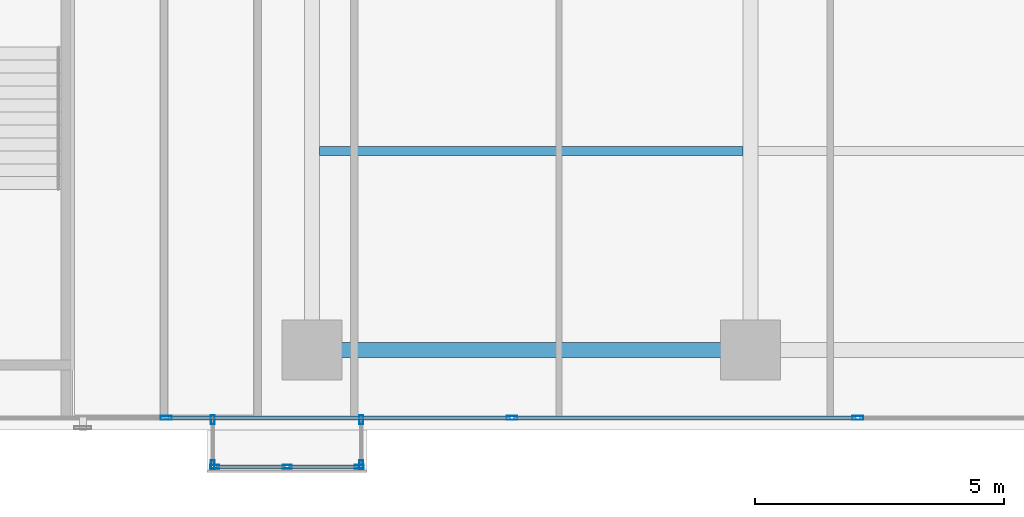
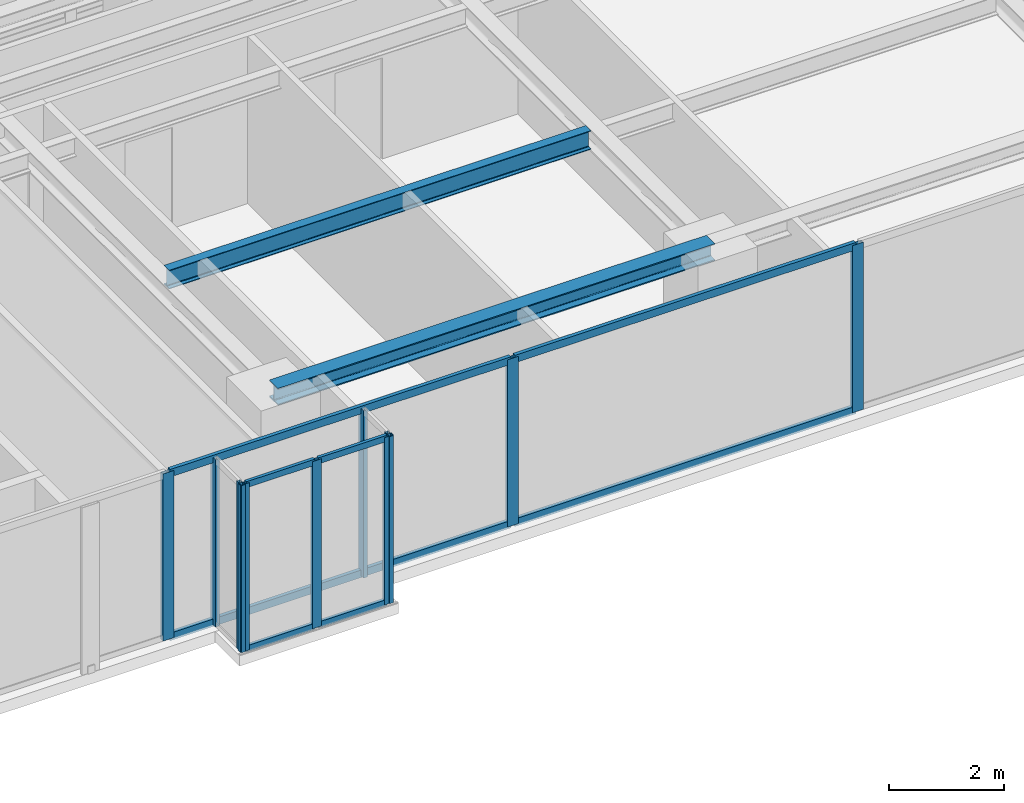
# One storey, part 11 of 28: 18 members, 2 beams, 4 elements without a shape of their own.
"""IFC4 building model written with IfcOpenShell, lengths in metres."""

from ifc_helpers import new_model, si_unit, direction, frame, origin, origin_with_axes, origin_2d, place, context, subcontext, project, spatial, hollow_rectangle, i_section, extrude, source, transform, mapped, material, layer, layer_set, material_profile, profile_set, type_object, element, aggregate, save


model = new_model("IFC4")

# Units and contexts
model_context = context("Model", 3, precision=1e-05, world=origin(), true_north=direction((0.0, 1.0)))
body_context = subcontext(model_context, "Body", "Model", "MODEL_VIEW")
ifc_project = project(units=[si_unit("LENGTHUNIT", "METRE"), si_unit("AREAUNIT", "SQUARE_METRE"), si_unit("VOLUMEUNIT", "CUBIC_METRE"), si_unit("PLANEANGLEUNIT", "RADIAN"), si_unit("MASSUNIT", "GRAM", prefix="KILO")], contexts=[model_context])

# Site, building, storey
site_placement = place(None, origin())
site = spatial("IfcSite", under=ifc_project, at=site_placement, CompositionType="ELEMENT")
building_placement = place(site_placement, origin())
building = spatial("IfcBuilding", under=site, at=building_placement, Name="Kolvaren Waterfront Exchange", CompositionType="ELEMENT")
storey_placement = place(building_placement, frame((0.0, 0.0, 146.199951171875)))
storey = spatial("IfcBuildingStorey", under=building, at=storey_placement, Name="L37", CompositionType="ELEMENT", Elevation=146.199951171875)

# Beams
ifc_material_1 = material(Name="Steel S355", Category="steel")
ifc_material_profile_1 = material_profile(ifc_material_1, i_section(OverallWidth=0.300048828125, OverallDepth=0.360107421875, WebThickness=0.012451171875, FlangeThickness=0.0224609375, FilletRadius=0.027099609375, at=origin_2d()), Name="HEB360")
ifc_profile_set_1 = profile_set([ifc_material_profile_1], Name="Steel S355")
beam_type_1 = type_object("IfcBeamType", Name="STR-BM-HEB360", PredefinedType="SPANDREL", material=ifc_profile_set_1)
beam_1_placement = place(storey_placement, frame((36.800048828125, 5.199951171875, 3.380126953125), z_axis=(1.0, 0.0, 0.0), x_axis=(0.0, 1.0, 0.0)))
element("IfcBeam", 1, at=beam_1_placement, inside=storey, type_object=beam_type_1, Name="L37 east-arm spandrel S3", PredefinedType="SPANDREL", context=body_context, shape_type="SweptSolid", body=[
    extrude(i_section(OverallWidth=0.300048828125, OverallDepth=0.360107421875, WebThickness=0.012451171875, FlangeThickness=0.0224609375, FilletRadius=0.027099609375, at=origin_2d()), origin(), (0.0, 0.0, 1.0), 8.800048828125),
])
ifc_material_profile_2 = material_profile(ifc_material_1, i_section(OverallWidth=0.179931640625, OverallDepth=0.39990234375, WebThickness=0.008544921875, FlangeThickness=0.013427734375, FilletRadius=0.02099609375, at=origin_2d()), Name="IPE400")
ifc_profile_set_2 = profile_set([ifc_material_profile_2], Name="Steel S355")
beam_type_2 = type_object("IfcBeamType", Name="STR-BM-IPE400", PredefinedType="JOIST", material=ifc_profile_set_2)
beam_2_placement = place(storey_placement, frame((36.951904296875, 9.199951171875, 3.360107421875), z_axis=(1.0, 0.0, 0.0), x_axis=(0.0, 1.0, 0.0)))
element("IfcBeam", 2, at=beam_2_placement, inside=storey, type_object=beam_type_2, Name="L37 east-arm composite joist 3B", PredefinedType="JOIST", context=body_context, shape_type="SweptSolid", body=[
    extrude(i_section(OverallWidth=0.179931640625, OverallDepth=0.39990234375, WebThickness=0.008544921875, FlangeThickness=0.013427734375, FilletRadius=0.02099609375, at=origin_2d()), origin(), (0.0, 0.0, 1.0), 8.49609375),
])

# Curtain wall, members
ifc_material_2 = material(Name="Anodised bronze aluminium 6063-T6", Category="aluminium")
ifc_layer_1 = layer(ifc_material_2, 0.219970703125, Name="Anodised bronze aluminium 6063-T6")
ifc_layer_set_1 = layer_set([ifc_layer_1], Name="Anodised bronze aluminium 6063-T6")
curtain_wall_type_1 = type_object("IfcCurtainWallType", Name="ARC-CW-SYS3", PredefinedType="USERDEFINED", material=ifc_layer_set_1)
curtain_wall_1_placement = place(storey_placement, origin())
curtain_wall_1 = element("IfcCurtainWall", 3, at=curtain_wall_1_placement, inside=storey, type_object=curtain_wall_type_1, Name="L37 stick curtain wall CW3 (CW-L37-BOX)", ObjectType="STICK CURTAIN WALL", PredefinedType="USERDEFINED")
ifc_material_profile_3 = material_profile(ifc_material_2, hollow_rectangle(XDim=0.06494140625, YDim=0.1298828125, WallThickness=0.00390625, at=origin_2d()), Name="ALU-TRN-130x65x4")
ifc_profile_set_3 = profile_set([ifc_material_profile_3], Name="Anodised bronze aluminium 6063-T6")
member_type_1 = type_object("IfcMemberType", Name="ARC-CWT-130", PredefinedType="USERDEFINED", material=ifc_profile_set_3)
shared_shape_1 = source(origin_with_axes(), body_context, "Body", "SweptSolid", [
    extrude(hollow_rectangle(XDim=0.06494140625, YDim=0.1298828125, WallThickness=0.00390625, at=origin_2d()), origin(), (0.0, 0.0, 1.0), 1.377685546875),
])
member_1_placement = place(storey_placement, frame((36.33740234375, 2.860107421875, 0.032470703125), z_axis=(1.0, 0.0, 0.0), x_axis=(0.0, 1.0, 0.0)))
member_1 = element("IfcMember", 4, at=member_1_placement, type_object=member_type_1, Name="CW3 transom 2.1", ObjectType="TRANSOM", PredefinedType="USERDEFINED", context=body_context, shape_type="MappedRepresentation", body=[
    mapped(shared_shape_1, transform((0.0, 0.0, 0.0), x_axis=(1.0, 0.0, 0.0), y_axis=(0.0, 1.0, 0.0), z_axis=(0.0, 0.0, 1.0), scale=1.0)),
])
member_2_placement = place(storey_placement, frame((36.33740234375, 2.860107421875, 3.527587890625), z_axis=(1.0, 0.0, 0.0), x_axis=(0.0, 1.0, 0.0)))
member_2 = element("IfcMember", 5, at=member_2_placement, type_object=member_type_1, Name="CW3 transom 2.2", ObjectType="TRANSOM", PredefinedType="USERDEFINED", context=body_context, shape_type="MappedRepresentation", body=[
    mapped(shared_shape_1, transform((0.0, 0.0, 0.0), x_axis=(1.0, 0.0, 0.0), y_axis=(0.0, 1.0, 0.0), z_axis=(0.0, 0.0, 1.0), scale=1.0)),
])
shared_shape_2 = source(origin_with_axes(), body_context, "Body", "SweptSolid", [
    extrude(hollow_rectangle(XDim=0.06494140625, YDim=0.1298828125, WallThickness=0.00390625, at=origin_2d()), origin(), (0.0, 0.0, 1.0), 1.37744140625),
])
member_3_placement = place(storey_placement, frame((34.885009765625, 2.860107421875, 0.032470703125), z_axis=(1.0, 0.0, 0.0), x_axis=(0.0, 1.0, 0.0)))
member_3 = element("IfcMember", 6, at=member_3_placement, type_object=member_type_1, Name="CW3 transom 1.1", ObjectType="TRANSOM", PredefinedType="USERDEFINED", context=body_context, shape_type="MappedRepresentation", body=[
    mapped(shared_shape_2, transform((0.0, 0.0, 0.0), x_axis=(1.0, 0.0, 0.0), y_axis=(0.0, 1.0, 0.0), z_axis=(0.0, 0.0, 1.0), scale=1.0)),
])
member_4_placement = place(storey_placement, frame((34.885009765625, 2.860107421875, 3.527587890625), z_axis=(1.0, 0.0, 0.0), x_axis=(0.0, 1.0, 0.0)))
member_4 = element("IfcMember", 7, at=member_4_placement, type_object=member_type_1, Name="CW3 transom 1.2", ObjectType="TRANSOM", PredefinedType="USERDEFINED", context=body_context, shape_type="MappedRepresentation", body=[
    mapped(shared_shape_2, transform((0.0, 0.0, 0.0), x_axis=(1.0, 0.0, 0.0), y_axis=(0.0, 1.0, 0.0), z_axis=(0.0, 0.0, 1.0), scale=1.0)),
])

curtain_wall_2_placement = place(storey_placement, origin())
curtain_wall_2 = element("IfcCurtainWall", 8, at=curtain_wall_2_placement, inside=storey, type_object=curtain_wall_type_1, Name="L37 stick curtain wall CW3 (CW-L37-BOX-W)", ObjectType="STICK CURTAIN WALL", PredefinedType="USERDEFINED")
ifc_material_profile_4 = material_profile(ifc_material_2, hollow_rectangle(XDim=0.074951171875, YDim=0.179931640625, WallThickness=0.00439453125, at=origin_2d()), Name="ALU-MUL-180x75x4.5")
ifc_profile_set_4 = profile_set([ifc_material_profile_4], Name="Anodised bronze aluminium 6063-T6")
member_type_2 = type_object("IfcMemberType", Name="ARC-CWM-180", PredefinedType="MULLION", material=ifc_profile_set_4)
shared_shape_3 = source(origin_with_axes(), body_context, "Body", "SweptSolid", [
    extrude(hollow_rectangle(XDim=0.074951171875, YDim=0.179931640625, WallThickness=0.00439453125, at=origin_2d()), origin(), (0.0, 0.0, 1.0), 3.56005859375),
])
member_5_placement = place(storey_placement, frame((34.81005859375, 3.802490234375, 0.0), z_axis=(0.0, 0.0, 1.0), x_axis=(1.0, 0.0, 0.0)))
member_5 = element("IfcMember", 9, at=member_5_placement, type_object=member_type_2, Name="CW3 mullion 1", PredefinedType="MULLION", context=body_context, shape_type="MappedRepresentation", body=[
    mapped(shared_shape_3, transform((0.0, 0.0, 0.0), x_axis=(1.0, 0.0, 0.0), y_axis=(0.0, 1.0, 0.0), z_axis=(0.0, 0.0, 1.0), scale=1.0)),
])
member_6_placement = place(storey_placement, frame((34.81005859375, 2.8974609375, 0.0), z_axis=(0.0, 0.0, 1.0), x_axis=(1.0, 0.0, 0.0)))
member_6 = element("IfcMember", 10, at=member_6_placement, type_object=member_type_2, Name="CW3 mullion 2", PredefinedType="MULLION", context=body_context, shape_type="MappedRepresentation", body=[
    mapped(shared_shape_3, transform((0.0, 0.0, 0.0), x_axis=(1.0, 0.0, 0.0), y_axis=(0.0, 1.0, 0.0), z_axis=(0.0, 0.0, 1.0), scale=1.0)),
])
aggregate(curtain_wall_2, [member_5, member_6])

# Member
member_7_placement = place(storey_placement, frame((34.847412109375, 2.860107421875, 0.0), z_axis=(0.0, 0.0, 1.0), x_axis=(0.0, 1.0, 0.0)))
member_7 = element("IfcMember", 11, at=member_7_placement, type_object=member_type_2, Name="CW3 mullion 1", PredefinedType="MULLION", context=body_context, shape_type="MappedRepresentation", body=[
    mapped(shared_shape_3, transform((0.0, 0.0, 0.0), x_axis=(1.0, 0.0, 0.0), y_axis=(0.0, 1.0, 0.0), z_axis=(0.0, 0.0, 1.0), scale=1.0)),
])

member_8_placement = place(storey_placement, frame((36.300048828125, 2.860107421875, 0.0), z_axis=(0.0, 0.0, 1.0), x_axis=(0.0, 1.0, 0.0)))
member_8 = element("IfcMember", 12, at=member_8_placement, type_object=member_type_2, Name="CW3 mullion 2", PredefinedType="MULLION", context=body_context, shape_type="MappedRepresentation", body=[
    mapped(shared_shape_3, transform((0.0, 0.0, 0.0), x_axis=(1.0, 0.0, 0.0), y_axis=(0.0, 1.0, 0.0), z_axis=(0.0, 0.0, 1.0), scale=1.0)),
])

member_9_placement = place(storey_placement, frame((37.75244140625, 2.860107421875, 0.0), z_axis=(0.0, 0.0, 1.0), x_axis=(0.0, 1.0, 0.0)))
member_9 = element("IfcMember", 13, at=member_9_placement, type_object=member_type_2, Name="CW3 mullion 3", PredefinedType="MULLION", context=body_context, shape_type="MappedRepresentation", body=[
    mapped(shared_shape_3, transform((0.0, 0.0, 0.0), x_axis=(1.0, 0.0, 0.0), y_axis=(0.0, 1.0, 0.0), z_axis=(0.0, 0.0, 1.0), scale=1.0)),
])

aggregate(curtain_wall_1, [member_7, member_8, member_9, member_3, member_4, member_1, member_2])

# Curtain wall, members
curtain_wall_3_placement = place(storey_placement, origin())
curtain_wall_3 = element("IfcCurtainWall", 14, at=curtain_wall_3_placement, inside=storey, type_object=curtain_wall_type_1, Name="L37 stick curtain wall CW3 (CW-L37-BOX-E)", ObjectType="STICK CURTAIN WALL", PredefinedType="USERDEFINED")
member_10_placement = place(storey_placement, frame((37.7900390625, 2.8974609375, 0.0), z_axis=(0.0, 0.0, 1.0), x_axis=(-1.0, 0.0, 0.0)))
member_10 = element("IfcMember", 15, at=member_10_placement, type_object=member_type_2, Name="CW3 mullion 1", PredefinedType="MULLION", context=body_context, shape_type="MappedRepresentation", body=[
    mapped(shared_shape_3, transform((0.0, 0.0, 0.0), x_axis=(1.0, 0.0, 0.0), y_axis=(0.0, 1.0, 0.0), z_axis=(0.0, 0.0, 1.0), scale=1.0)),
])
member_11_placement = place(storey_placement, frame((37.7900390625, 3.802490234375, 0.0), z_axis=(0.0, 0.0, 1.0), x_axis=(-1.0, 0.0, 0.0)))
member_11 = element("IfcMember", 16, at=member_11_placement, type_object=member_type_2, Name="CW3 mullion 2", PredefinedType="MULLION", context=body_context, shape_type="MappedRepresentation", body=[
    mapped(shared_shape_3, transform((0.0, 0.0, 0.0), x_axis=(1.0, 0.0, 0.0), y_axis=(0.0, 1.0, 0.0), z_axis=(0.0, 0.0, 1.0), scale=1.0)),
])
aggregate(curtain_wall_3, [member_10, member_11])

ifc_layer_2 = layer(ifc_material_2, 0.219970703125, Name="Anodised bronze aluminium 6063-T6")
ifc_layer_set_2 = layer_set([ifc_layer_2], Name="Anodised bronze aluminium 6063-T6")
curtain_wall_type_2 = type_object("IfcCurtainWallType", Name="ARC-CW-SYS1", PredefinedType="USERDEFINED", material=ifc_layer_set_2)
curtain_wall_4_placement = place(storey_placement, origin())
curtain_wall_4 = element("IfcCurtainWall", 17, at=curtain_wall_4_placement, inside=storey, type_object=curtain_wall_type_2, Name="L37 stick curtain wall CW1 (CW-L37-S)", ObjectType="STICK CURTAIN WALL", PredefinedType="USERDEFINED")
ifc_material_3 = material(Name="Anodised aluminium 6063-T6", Category="aluminium")
ifc_material_profile_5 = material_profile(ifc_material_3, hollow_rectangle(XDim=0.080078125, YDim=0.219970703125, WallThickness=0.0048828125, at=origin_2d()), Name="ALU-MUL-220x80x5")
ifc_profile_set_5 = profile_set([ifc_material_profile_5], Name="Anodised aluminium 6063-T6")
member_type_3 = type_object("IfcMemberType", Name="ARC-CWM-220", PredefinedType="MULLION", material=ifc_profile_set_5)
shared_shape_4 = source(origin_with_axes(), body_context, "Body", "SweptSolid", [
    extrude(hollow_rectangle(XDim=0.080078125, YDim=0.219970703125, WallThickness=0.0048828125, at=origin_2d()), origin(), (0.0, 0.0, 1.0), 3.56005859375),
])
member_12_placement = place(storey_placement, frame((33.871337890625, 3.840087890625, 0.0), z_axis=(0.0, 0.0, 1.0), x_axis=(0.0, 1.0, 0.0)))
member_12 = element("IfcMember", 18, at=member_12_placement, type_object=member_type_3, Name="CW1 mullion 5", PredefinedType="MULLION", context=body_context, shape_type="MappedRepresentation", body=[
    mapped(shared_shape_4, transform((0.0, 0.0, 0.0), x_axis=(1.0, 0.0, 0.0), y_axis=(0.0, 1.0, 0.0), z_axis=(0.0, 0.0, 1.0), scale=1.0)),
])
member_13_placement = place(storey_placement, frame((40.814208984375, 3.840087890625, 0.0), z_axis=(0.0, 0.0, 1.0), x_axis=(0.0, 1.0, 0.0)))
member_13 = element("IfcMember", 19, at=member_13_placement, type_object=member_type_3, Name="CW1 mullion 6", PredefinedType="MULLION", context=body_context, shape_type="MappedRepresentation", body=[
    mapped(shared_shape_4, transform((0.0, 0.0, 0.0), x_axis=(1.0, 0.0, 0.0), y_axis=(0.0, 1.0, 0.0), z_axis=(0.0, 0.0, 1.0), scale=1.0)),
])
member_14_placement = place(storey_placement, frame((47.757080078125, 3.840087890625, 0.0), z_axis=(0.0, 0.0, 1.0), x_axis=(0.0, 1.0, 0.0)))
member_14 = element("IfcMember", 20, at=member_14_placement, type_object=member_type_3, Name="CW1 mullion 7", PredefinedType="MULLION", context=body_context, shape_type="MappedRepresentation", body=[
    mapped(shared_shape_4, transform((0.0, 0.0, 0.0), x_axis=(1.0, 0.0, 0.0), y_axis=(0.0, 1.0, 0.0), z_axis=(0.0, 0.0, 1.0), scale=1.0)),
])
ifc_material_profile_6 = material_profile(ifc_material_3, hollow_rectangle(XDim=0.074951171875, YDim=0.159912109375, WallThickness=0.00439453125, at=origin_2d()), Name="ALU-TRN-160x75x4.5")
ifc_profile_set_6 = profile_set([ifc_material_profile_6], Name="Anodised aluminium 6063-T6")
member_type_4 = type_object("IfcMemberType", Name="ARC-CWT-160", PredefinedType="USERDEFINED", material=ifc_profile_set_6)
shared_shape_5 = source(origin_with_axes(), body_context, "Body", "SweptSolid", [
    extrude(hollow_rectangle(XDim=0.074951171875, YDim=0.159912109375, WallThickness=0.00439453125, at=origin_2d()), origin(), (0.0, 0.0, 1.0), 6.86279296875),
])
member_15_placement = place(storey_placement, frame((33.911376953125, 3.840087890625, 0.03759765625), z_axis=(1.0, 0.0, 0.0), x_axis=(0.0, 1.0, 0.0)))
member_15 = element("IfcMember", 21, at=member_15_placement, type_object=member_type_4, Name="CW1 transom 5.1", ObjectType="TRANSOM", PredefinedType="USERDEFINED", context=body_context, shape_type="MappedRepresentation", body=[
    mapped(shared_shape_5, transform((0.0, 0.0, 0.0), x_axis=(1.0, 0.0, 0.0), y_axis=(0.0, 1.0, 0.0), z_axis=(0.0, 0.0, 1.0), scale=1.0)),
])
member_16_placement = place(storey_placement, frame((33.911376953125, 3.840087890625, 3.5224609375), z_axis=(1.0, 0.0, 0.0), x_axis=(0.0, 1.0, 0.0)))
member_16 = element("IfcMember", 22, at=member_16_placement, type_object=member_type_4, Name="CW1 transom 5.2", ObjectType="TRANSOM", PredefinedType="USERDEFINED", context=body_context, shape_type="MappedRepresentation", body=[
    mapped(shared_shape_5, transform((0.0, 0.0, 0.0), x_axis=(1.0, 0.0, 0.0), y_axis=(0.0, 1.0, 0.0), z_axis=(0.0, 0.0, 1.0), scale=1.0)),
])
member_17_placement = place(storey_placement, frame((40.854248046875, 3.840087890625, 0.03759765625), z_axis=(1.0, 0.0, 0.0), x_axis=(0.0, 1.0, 0.0)))
member_17 = element("IfcMember", 23, at=member_17_placement, type_object=member_type_4, Name="CW1 transom 6.1", ObjectType="TRANSOM", PredefinedType="USERDEFINED", context=body_context, shape_type="MappedRepresentation", body=[
    mapped(shared_shape_5, transform((0.0, 0.0, 0.0), x_axis=(1.0, 0.0, 0.0), y_axis=(0.0, 1.0, 0.0), z_axis=(0.0, 0.0, 1.0), scale=1.0)),
])
member_18_placement = place(storey_placement, frame((40.854248046875, 3.840087890625, 3.5224609375), z_axis=(1.0, 0.0, 0.0), x_axis=(0.0, 1.0, 0.0)))
member_18 = element("IfcMember", 24, at=member_18_placement, type_object=member_type_4, Name="CW1 transom 6.2", ObjectType="TRANSOM", PredefinedType="USERDEFINED", context=body_context, shape_type="MappedRepresentation", body=[
    mapped(shared_shape_5, transform((0.0, 0.0, 0.0), x_axis=(1.0, 0.0, 0.0), y_axis=(0.0, 1.0, 0.0), z_axis=(0.0, 0.0, 1.0), scale=1.0)),
])
aggregate(curtain_wall_4, [member_12, member_13, member_14, member_15, member_16, member_17, member_18])

save(model, "model.ifc")
